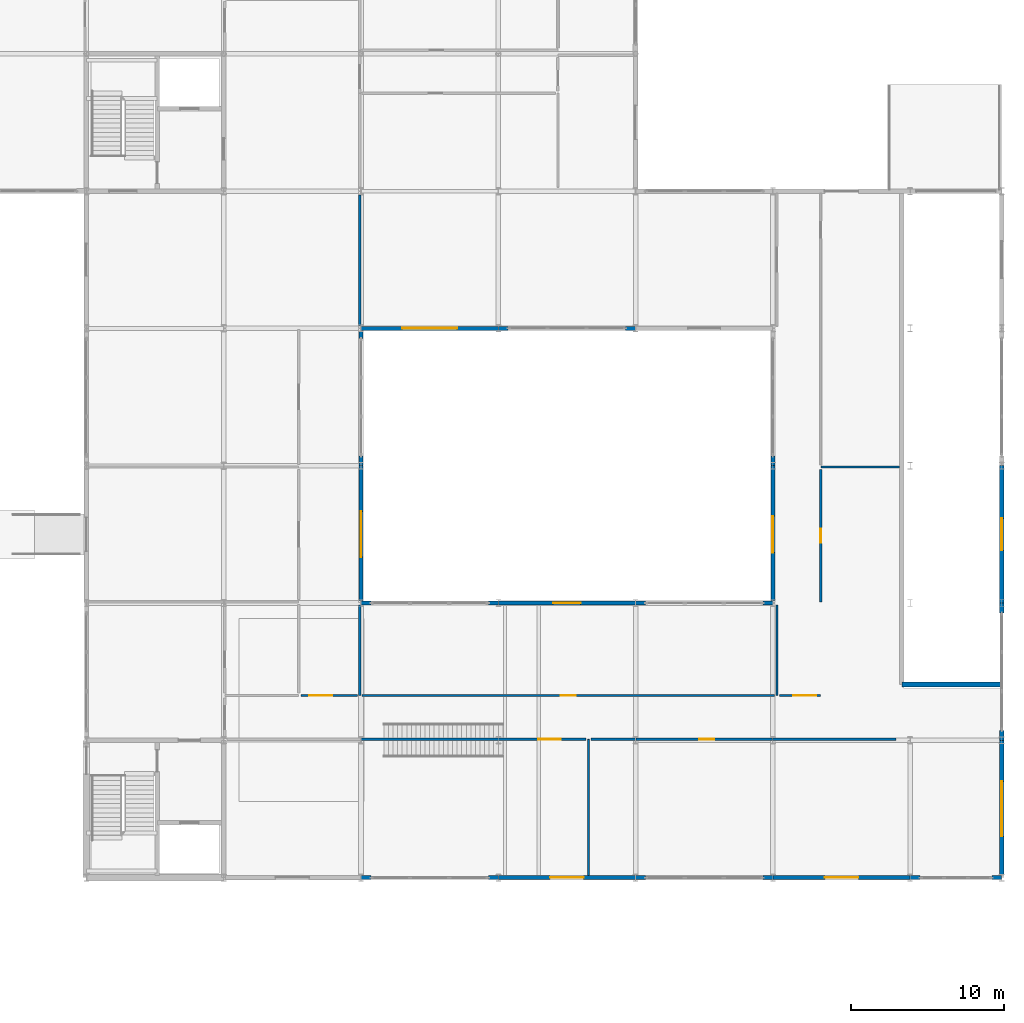
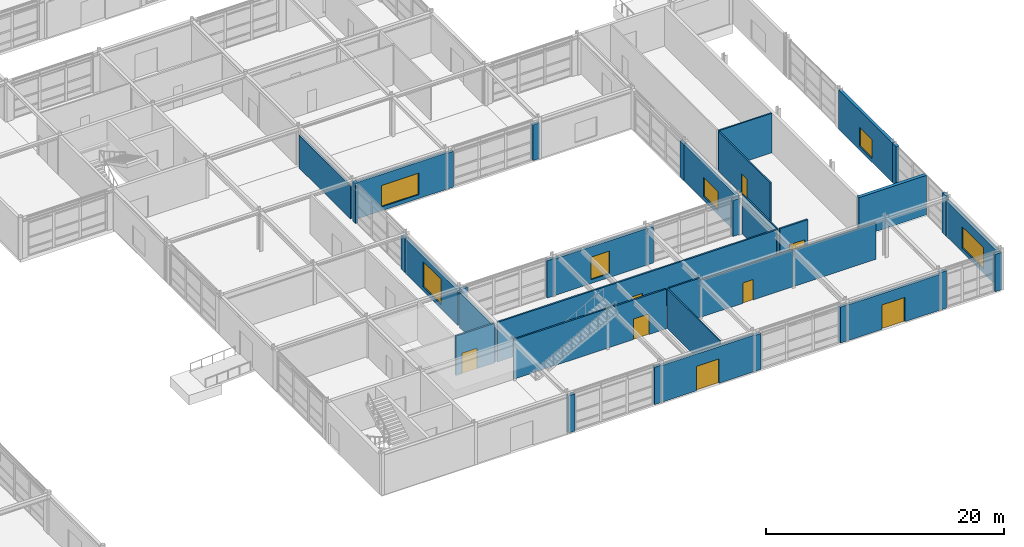
# One storey, part 65 of 72: 39 walls, 8 doors, 6 windows, 14 openings.
"""IFC4 building model written with IfcOpenShell, lengths in metres."""

from ifc_helpers import new_model, si_unit, direction, frame, frame_2d, origin, place, context, subcontext, project, spatial, rectangle, extrude, material, layer, layer_set, type_object, element, fill, save


model = new_model("IFC4")

# Units and contexts
model_context = context("Model", 3, precision=1e-05, world=origin(), true_north=direction((0.0, 1.0)))
body_context = subcontext(model_context, "Body", "Model", "MODEL_VIEW")
ifc_project = project(units=[si_unit("LENGTHUNIT", "METRE"), si_unit("AREAUNIT", "SQUARE_METRE"), si_unit("VOLUMEUNIT", "CUBIC_METRE"), si_unit("PLANEANGLEUNIT", "RADIAN"), si_unit("MASSUNIT", "GRAM", prefix="KILO")], contexts=[model_context])

# Site, building, storey
site_placement = place(None, origin())
site = spatial("IfcSite", under=ifc_project, at=site_placement, CompositionType="ELEMENT")
building_placement = place(site_placement, origin())
building = spatial("IfcBuilding", under=site, at=building_placement, Name="Palais des Congres Ocreval", CompositionType="ELEMENT")
storey_placement = place(building_placement, origin())
storey = spatial("IfcBuildingStorey", under=building, at=storey_placement, Name="L00", CompositionType="ELEMENT", Elevation=0.0)

# Wall
ifc_material_1 = material(Name="Moisture-resistant gypsum board")
ifc_layer_1 = layer(ifc_material_1, 0.139892578125)
ifc_layer_set_1 = layer_set([ifc_layer_1], Name="Bathroom Plumbing Chase Wall 140 Gypsum (Moisture-resistant gypsum board)")
wall_type_1 = type_object("IfcWallType", Name="Bathroom Plumbing Chase Wall 140 Gypsum", PredefinedType="PLUMBINGWALL", material=ifc_layer_set_1)
wall_1_placement = place(storey_placement, frame((156.139892578125, 26.909912109375, 0.0), z_axis=(0.0, 0.0, 1.0), x_axis=(1.0, 0.0, 0.0)))
element("IfcWall", 1, at=wall_1_placement, inside=storey, type_object=wall_type_1, Name="Interior Partition PW03 L00", PredefinedType="PLUMBINGWALL", context=body_context, shape_type="SweptSolid", body=[
    extrude(rectangle(XDim=5.155029296875, YDim=0.139892578125, at=frame_2d((2.57763671875, 0.0))), origin(), (0.0, 0.0, 1.0), 4.054931640625),
])

# Wall, opening, door
wall_2_placement = place(storey_placement, frame((156.135009765625, 18.070068359375, 0.0), z_axis=(0.0, 0.0, 1.0), x_axis=(0.0, 1.0, 0.0)))
wall_2 = element("IfcWall", 2, at=wall_2_placement, inside=storey, type_object=wall_type_1, Name="Interior Partition PW03 L00", PredefinedType="PLUMBINGWALL", context=body_context, shape_type="SweptSolid", body=[
    extrude(rectangle(XDim=8.684814453125, YDim=0.139892578125, at=frame_2d((4.34228515625, 0.0))), origin(), (0.0, 0.0, 1.0), 4.054931640625),
])
opening_1_placement = place(wall_2_placement, frame((3.892578125, 0.0, 0.0)))
opening_1 = element("IfcOpeningElement", 3, at=opening_1_placement, cuts=wall_2, Name="Opening D09", PredefinedType="OPENING", context=body_context, shape_type="SweptSolid", body=[
    extrude(rectangle(XDim=0.89990234375, YDim=2.10009765625, at=frame_2d((0.449951171875, 1.050048828125))), frame((0.0, 0.079833984375, 0.0), z_axis=(0.0, -1.0, 0.0), x_axis=(1.0, 0.0, 0.0)), (0.0, 0.0, 1.0), 0.159912109375),
])
ifc_material_2 = material(Name="Solid French oak", Category="wood")
door_type_1 = type_object("IfcDoorType", Name="Accessible Restroom Door 900x2100", OperationType="NOTDEFINED", PredefinedType="DOOR", material=ifc_material_2)
door_1_placement = place(opening_1_placement, origin())
door_1 = element("IfcDoor", 4, at=door_1_placement, inside=storey, type_object=door_type_1, Name="Interior Door D09 L00", OperationType="SINGLE_SWING_RIGHT", OverallHeight=2.10009765625, OverallWidth=0.89990234375, PredefinedType="DOOR", context=body_context, shape_type="SweptSolid", body=[
    extrude(rectangle(XDim=0.89990234375, YDim=2.10009765625, at=frame_2d((0.449951171875, 1.050048828125))), frame((0.0, 0.02490234375, 0.0), z_axis=(0.0, -1.0, 0.0), x_axis=(1.0, 0.0, 0.0)), (0.0, 0.0, 1.0), 0.050048828125),
])
fill(opening_1, door_1)

# Walls
ifc_material_3 = material(Name="Gypsum acoustic partition")
ifc_layer_2 = layer(ifc_material_3, 0.159912109375)
ifc_layer_set_2 = layer_set([ifc_layer_2], Name="Corridor Fire Partition 160 Gypsum (Gypsum acoustic partition)")
wall_type_2 = type_object("IfcWallType", Name="Corridor Fire Partition 160 Gypsum", PredefinedType="PARTITIONING", material=ifc_layer_set_2)
wall_3_placement = place(storey_placement, frame((125.909912109375, 11.93994140625, 0.0), z_axis=(0.0, 0.0, 1.0), x_axis=(0.0, 1.0, 0.0)))
element("IfcWall", 5, at=wall_3_placement, inside=storey, type_object=wall_type_2, Name="Interior Partition IW03 L00", PredefinedType="PARTITIONING", context=body_context, shape_type="SweptSolid", body=[
    extrude(rectangle(XDim=5.9150390625, YDim=0.159912109375, at=frame_2d((2.95751953125, 0.0))), origin(), (0.0, 0.0, 1.0), 3.614990234375),
])
wall_4_placement = place(storey_placement, frame((125.909912109375, 36.14501953125, 0.0), z_axis=(0.0, 0.0, 1.0), x_axis=(0.0, 1.0, 0.0)))
element("IfcWall", 6, at=wall_4_placement, inside=storey, type_object=wall_type_2, Name="Interior Partition IW03 L00", PredefinedType="PARTITIONING", context=body_context, shape_type="SweptSolid", body=[
    extrude(rectangle(XDim=8.5849609375, YDim=0.159912109375, at=frame_2d((4.29248046875, 0.0))), origin(), (0.0, 0.0, 1.0), 3.364990234375),
])

# Wall, opening, door
wall_5_placement = place(storey_placement, frame((153.419921875, 11.93505859375, 0.0), z_axis=(0.0, 0.0, 1.0), x_axis=(1.0, 0.0, 0.0)))
wall_5 = element("IfcWall", 7, at=wall_5_placement, inside=storey, type_object=wall_type_2, Name="Interior Partition IW03 L00", PredefinedType="PARTITIONING", context=body_context, shape_type="SweptSolid", body=[
    extrude(rectangle(XDim=2.7099609375, YDim=0.159912109375, at=frame_2d((1.35498046875, 0.0))), origin(), (0.0, 0.0, 1.0), 4.054931640625),
])
opening_2_placement = place(wall_5_placement, frame((0.93017578125, 0.0, 0.0)))
opening_2 = element("IfcOpeningElement", 8, at=opening_2_placement, cuts=wall_5, Name="Opening D04", PredefinedType="OPENING", context=body_context, shape_type="SweptSolid", body=[
    extrude(rectangle(XDim=1.5, YDim=2.10009765625, at=frame_2d((0.75, 1.050048828125))), frame((0.0, 0.08984375, 0.0), z_axis=(0.0, -1.0, 0.0), x_axis=(1.0, 0.0, 0.0)), (0.0, 0.0, 1.0), 0.179931640625),
])
ifc_material_4 = material(Name="Solid French oak fire door", Category="wood")
door_type_2 = type_object("IfcDoorType", Name="Corridor Compartment Double Door 1500x2100", OperationType="NOTDEFINED", PredefinedType="DOOR", material=ifc_material_4)
door_2_placement = place(opening_2_placement, origin())
door_2 = element("IfcDoor", 9, at=door_2_placement, inside=storey, type_object=door_type_2, Name="Interior Door D04 L00", OperationType="DOUBLE_DOOR_SINGLE_SWING", OverallHeight=2.10009765625, OverallWidth=1.5, PredefinedType="DOOR", context=body_context, shape_type="SweptSolid", body=[
    extrude(rectangle(XDim=1.5, YDim=2.10009765625, at=frame_2d((0.75, 1.050048828125))), frame((0.0, 0.02490234375, 0.0), z_axis=(0.0, -1.0, 0.0), x_axis=(1.0, 0.0, 0.0)), (0.0, 0.0, 1.0), 0.050048828125),
])
fill(opening_2, door_2)

# Wall
wall_6_placement = place(storey_placement, frame((141.06494140625, 9.06494140625, 0.0), z_axis=(0.0, 0.0, 1.0), x_axis=(1.0, 0.0, 0.0)))
element("IfcWall", 10, at=wall_6_placement, inside=storey, type_object=wall_type_2, Name="Interior Partition IW03 L00", PredefinedType="PARTITIONING", context=body_context, shape_type="SweptSolid", body=[
    extrude(rectangle(XDim=2.955078125, YDim=0.159912109375, at=frame_2d((1.4775390625, 0.0))), origin(), (0.0, 0.0, 1.0), 4.054931640625),
])

# Wall, opening, door
wall_7_placement = place(storey_placement, frame((126.06494140625, 11.93505859375, 0.0), z_axis=(0.0, 0.0, 1.0), x_axis=(1.0, 0.0, 0.0)))
wall_7 = element("IfcWall", 11, at=wall_7_placement, inside=storey, type_object=wall_type_2, Name="Interior Partition IW03 L00", PredefinedType="PARTITIONING", context=body_context, shape_type="SweptSolid", body=[
    extrude(rectangle(XDim=27.045166015625, YDim=0.159912109375, at=frame_2d((13.5224609375, 0.0))), origin(), (0.0, 0.0, 1.0), 4.054931640625),
])
opening_3_placement = place(wall_7_placement, frame((13.0224609375, 0.0, 0.0)))
opening_3 = element("IfcOpeningElement", 12, at=opening_3_placement, cuts=wall_7, Name="Opening D10", PredefinedType="OPENING", context=body_context, shape_type="SweptSolid", body=[
    extrude(rectangle(XDim=1.0, YDim=2.10009765625, at=frame_2d((0.5, 1.050048828125))), frame((0.0, 0.08984375, 0.0), z_axis=(0.0, -1.0, 0.0), x_axis=(1.0, 0.0, 0.0)), (0.0, 0.0, 1.0), 0.179931640625),
])
ifc_material_5 = material(Name="Painted steel", Category="steel")
door_type_3 = type_object("IfcDoorType", Name="Service and Pantry Door 1000x2100", OperationType="NOTDEFINED", PredefinedType="DOOR", material=ifc_material_5)
door_3_placement = place(opening_3_placement, origin())
door_3 = element("IfcDoor", 13, at=door_3_placement, inside=storey, type_object=door_type_3, Name="Interior Door D10 L00", OperationType="SINGLE_SWING_LEFT", OverallHeight=2.10009765625, OverallWidth=1.0, PredefinedType="DOOR", context=body_context, shape_type="SweptSolid", body=[
    extrude(rectangle(XDim=1.0, YDim=2.10009765625, at=frame_2d((0.5, 1.050048828125))), frame((0.0, 0.02490234375, 0.0), z_axis=(0.0, -1.0, 0.0), x_axis=(1.0, 0.0, 0.0)), (0.0, 0.0, 1.0), 0.050048828125),
])
fill(opening_3, door_3)

wall_8_placement = place(storey_placement, frame((122.06494140625, 11.93505859375, 0.0), z_axis=(0.0, 0.0, 1.0), x_axis=(1.0, 0.0, 0.0)))
wall_8 = element("IfcWall", 14, at=wall_8_placement, inside=storey, type_object=wall_type_2, Name="Interior Partition IW03 L00", PredefinedType="PARTITIONING", context=body_context, shape_type="SweptSolid", body=[
    extrude(rectangle(XDim=3.68994140625, YDim=0.159912109375, at=frame_2d((1.844970703125, 0.0))), origin(), (0.0, 0.0, 1.0), 4.054931640625),
])
opening_4_placement = place(wall_8_placement, frame((0.5400390625, 0.0, 0.0)))
opening_4 = element("IfcOpeningElement", 15, at=opening_4_placement, cuts=wall_8, Name="Opening D04", PredefinedType="OPENING", context=body_context, shape_type="SweptSolid", body=[
    extrude(rectangle(XDim=1.5, YDim=2.10009765625, at=frame_2d((0.75, 1.050048828125))), frame((0.0, 0.08984375, 0.0), z_axis=(0.0, -1.0, 0.0), x_axis=(1.0, 0.0, 0.0)), (0.0, 0.0, 1.0), 0.179931640625),
])
door_4_placement = place(opening_4_placement, origin())
door_4 = element("IfcDoor", 16, at=door_4_placement, inside=storey, type_object=door_type_2, Name="Interior Door D04 L00", OperationType="DOUBLE_DOOR_SINGLE_SWING", OverallHeight=2.10009765625, OverallWidth=1.5, PredefinedType="DOOR", context=body_context, shape_type="SweptSolid", body=[
    extrude(rectangle(XDim=1.5, YDim=2.10009765625, at=frame_2d((0.75, 1.050048828125))), frame((0.0, 0.02490234375, 0.0), z_axis=(0.0, -1.0, 0.0), x_axis=(1.0, 0.0, 0.0)), (0.0, 0.0, 1.0), 0.050048828125),
])
fill(opening_4, door_4)

wall_9_placement = place(storey_placement, frame((125.97998046875, 9.06494140625, 0.0), z_axis=(0.0, 0.0, 1.0), x_axis=(1.0, 0.0, 0.0)))
wall_9 = element("IfcWall", 17, at=wall_9_placement, inside=storey, type_object=wall_type_2, Name="Interior Partition IW03 L00", PredefinedType="PARTITIONING", context=body_context, shape_type="SweptSolid", body=[
    extrude(rectangle(XDim=14.77490234375, YDim=0.159912109375, at=frame_2d((7.387451171875, 0.0))), origin(), (0.0, 0.0, 1.0), 4.054931640625),
])
opening_5_placement = place(wall_9_placement, frame((11.625, 0.0, 0.0)))
opening_5 = element("IfcOpeningElement", 18, at=opening_5_placement, cuts=wall_9, Name="Opening D04", PredefinedType="OPENING", context=body_context, shape_type="SweptSolid", body=[
    extrude(rectangle(XDim=1.5, YDim=2.10009765625, at=frame_2d((0.75, 1.050048828125))), frame((0.0, 0.08984375, 0.0), z_axis=(0.0, -1.0, 0.0), x_axis=(1.0, 0.0, 0.0)), (0.0, 0.0, 1.0), 0.179931640625),
])
door_5_placement = place(opening_5_placement, origin())
door_5 = element("IfcDoor", 19, at=door_5_placement, inside=storey, type_object=door_type_2, Name="Interior Door D04 L00", OperationType="DOUBLE_DOOR_SINGLE_SWING", OverallHeight=2.10009765625, OverallWidth=1.5, PredefinedType="DOOR", context=body_context, shape_type="SweptSolid", body=[
    extrude(rectangle(XDim=1.5, YDim=2.10009765625, at=frame_2d((0.75, 1.050048828125))), frame((0.0, 0.02490234375, 0.0), z_axis=(0.0, -1.0, 0.0), x_axis=(1.0, 0.0, 0.0)), (0.0, 0.0, 1.0), 0.050048828125),
])
fill(opening_5, door_5)

wall_10_placement = place(storey_placement, frame((144.02001953125, 9.06494140625, 0.0), z_axis=(0.0, 0.0, 1.0), x_axis=(1.0, 0.0, 0.0)))
wall_10 = element("IfcWall", 20, at=wall_10_placement, inside=storey, type_object=wall_type_2, Name="Interior Partition IW03 L00", PredefinedType="PARTITIONING", context=body_context, shape_type="SweptSolid", body=[
    extrude(rectangle(XDim=8.9599609375, YDim=0.159912109375, at=frame_2d((4.47998046875, 0.0))), origin(), (0.0, 0.0, 1.0), 3.764892578125),
])
opening_6_placement = place(wall_10_placement, frame((4.150634765625, 0.0, 0.0)))
opening_6 = element("IfcOpeningElement", 21, at=opening_6_placement, cuts=wall_10, Name="Opening D10", PredefinedType="OPENING", context=body_context, shape_type="SweptSolid", body=[
    extrude(rectangle(XDim=1.0, YDim=2.10009765625, at=frame_2d((0.5, 1.050048828125))), frame((0.0, 0.08984375, 0.0), z_axis=(0.0, -1.0, 0.0), x_axis=(1.0, 0.0, 0.0)), (0.0, 0.0, 1.0), 0.179931640625),
])
door_6_placement = place(opening_6_placement, origin())
door_6 = element("IfcDoor", 22, at=door_6_placement, inside=storey, type_object=door_type_3, Name="Interior Door D10 L00", OperationType="SINGLE_SWING_RIGHT", OverallHeight=2.10009765625, OverallWidth=1.0, PredefinedType="DOOR", context=body_context, shape_type="SweptSolid", body=[
    extrude(rectangle(XDim=1.0, YDim=2.10009765625, at=frame_2d((0.5, 1.050048828125))), frame((0.0, 0.02490234375, 0.0), z_axis=(0.0, -1.0, 0.0), x_axis=(1.0, 0.0, 0.0)), (0.0, 0.0, 1.0), 0.050048828125),
])
fill(opening_6, door_6)

# Walls
wall_11_placement = place(storey_placement, frame((152.97998046875, 9.06494140625, 0.0), z_axis=(0.0, 0.0, 1.0), x_axis=(1.0, 0.0, 0.0)))
element("IfcWall", 23, at=wall_11_placement, inside=storey, type_object=wall_type_2, Name="Interior Partition IW03 L00", PredefinedType="PARTITIONING", context=body_context, shape_type="SweptSolid", body=[
    extrude(rectangle(XDim=8.10009765625, YDim=0.159912109375, at=frame_2d((4.050048828125, 0.0))), origin(), (0.0, 0.0, 1.0), 3.72509765625),
])
ifc_material_6 = material(Name="Concrete C40/50", Category="concrete")
ifc_layer_3 = layer(ifc_material_6, 0.320068359375)
ifc_layer_set_3 = layer_set([ifc_layer_3], Name="Ramp and Hoistway Shear Wall 320 Concrete C40/50")
wall_type_3 = type_object("IfcWallType", Name="Ramp and Hoistway Shear Wall 320 Concrete C40/50", PredefinedType="SHEAR", material=ifc_layer_set_3)
wall_12_placement = place(storey_placement, frame((161.449951171875, 12.64990234375, 0.0), z_axis=(0.0, 0.0, 1.0), x_axis=(1.0, 0.0, 0.0)))
element("IfcWall", 24, at=wall_12_placement, inside=storey, type_object=wall_type_3, Name="Vehicle Ramp South Closure Wall L00", PredefinedType="SHEAR", context=body_context, shape_type="SweptSolid", body=[
    extrude(rectangle(XDim=6.550048828125, YDim=0.320068359375, at=frame_2d((3.27490234375, 0.0))), origin(), (0.0, 0.0, 1.0), 4.054931640625),
])
ifc_material_7 = material(Name="Gypsum board partition")
ifc_layer_4 = layer(ifc_material_7, 0.1201171875)
ifc_layer_set_4 = layer_set([ifc_layer_4], Name="Suite Subdivision Partition 120 Gypsum (Gypsum board partition)")
wall_type_4 = type_object("IfcWallType", Name="Suite Subdivision Partition 120 Gypsum", PredefinedType="PARTITIONING", material=ifc_layer_set_4)
wall_13_placement = place(storey_placement, frame((153.264892578125, 11.93994140625, 0.0), z_axis=(0.0, 0.0, 1.0), x_axis=(0.0, 1.0, 0.0)))
element("IfcWall", 25, at=wall_13_placement, inside=storey, type_object=wall_type_4, Name="Interior Partition IW04 L00", PredefinedType="PARTITIONING", context=body_context, shape_type="SweptSolid", body=[
    extrude(rectangle(XDim=5.9150390625, YDim=0.1201171875, at=frame_2d((2.95751953125, 0.0))), origin(), (0.0, 0.0, 1.0), 4.054931640625),
])
wall_14_placement = place(storey_placement, frame((140.909912109375, 0.14501953125, 0.0), z_axis=(0.0, 0.0, 1.0), x_axis=(0.0, 1.0, 0.0)))
element("IfcWall", 26, at=wall_14_placement, inside=storey, type_object=wall_type_4, Name="Interior Partition IW04 L00", PredefinedType="PARTITIONING", context=body_context, shape_type="SweptSolid", body=[
    extrude(rectangle(XDim=8.9150390625, YDim=0.1201171875, at=frame_2d((4.45751953125, 0.0))), origin(), (0.0, 0.0, 1.0), 4.054931640625),
])

# Wall, opening, window
ifc_layer_5 = layer(ifc_material_6, 0.280029296875)
ifc_layer_set_5 = layer_set([ifc_layer_5], Name="Terracotta Mineral-Lime Facade Wall 280 Concrete C40/50")
wall_type_5 = type_object("IfcWallType", Name="Terracotta Mineral-Lime Facade Wall 280 Concrete C40/50", PredefinedType="SOLIDWALL", material=ifc_layer_set_5)
wall_15_placement = place(storey_placement, frame((168.0, 27.0, 0.0), z_axis=(0.0, 0.0, 1.0), x_axis=(0.0, -1.0, 0.0)))
wall_15 = element("IfcWall", 27, at=wall_15_placement, inside=storey, type_object=wall_type_5, Name="Exterior Wall EW05 L00", PredefinedType="SOLIDWALL", context=body_context, shape_type="SweptSolid", body=[
    extrude(rectangle(XDim=9.0, YDim=0.280029296875, at=frame_2d((4.5, 0.0))), origin(), (0.0, 0.0, 1.0), 4.054931640625),
])
opening_7_placement = place(wall_15_placement, frame((3.449951171875, 0.0, 0.39990234375)))
opening_7 = element("IfcOpeningElement", 28, at=opening_7_placement, cuts=wall_15, Name="Opening WN05", PredefinedType="OPENING", context=body_context, shape_type="SweptSolid", body=[
    extrude(rectangle(XDim=2.10009765625, YDim=1.949951171875, at=frame_2d((1.050048828125, 0.97509765625))), frame((0.0, 0.14990234375, 0.0), z_axis=(0.0, -1.0, 0.0), x_axis=(1.0, 0.0, 0.0)), (0.0, 0.0, 1.0), 0.300048828125),
])
ifc_material_8 = material(Name="Anodized bronze aluminium and low-E glass", Category="glass")
window_type_1 = type_object("IfcWindowType", Name="Junior Suite Window 2100x1950", PartitioningType="SINGLE_PANEL", PredefinedType="WINDOW", material=ifc_material_8)
window_1_placement = place(opening_7_placement, origin())
window_1 = element("IfcWindow", 29, at=window_1_placement, inside=storey, type_object=window_type_1, Name="Facade Window WN05", OverallHeight=1.949951171875, OverallWidth=2.10009765625, PartitioningType="SINGLE_PANEL", PredefinedType="WINDOW", context=body_context, shape_type="SweptSolid", body=[
    extrude(rectangle(XDim=2.10009765625, YDim=1.949951171875, at=frame_2d((1.050048828125, 0.97509765625))), frame((0.0, 0.030029296875, 0.0), z_axis=(0.0, -1.0, 0.0), x_axis=(1.0, 0.0, 0.0)), (0.0, 0.0, 1.0), 0.06005859375),
])
fill(opening_7, window_1)

# Walls
for number, where, z_axis, x_axis, name in (
    (30, (168.0, 18.0, 0.0), (0.0, 0.0, 1.0), (0.0, -1.0, 0.0), "Facade Pier EW05 L00"),
    (31, (168.0, 9.64990234375, 0.0), (0.0, 0.0, 1.0), (0.0, -1.0, 0.0), "Facade Pier EW05 L00"),
):
    element("IfcWall", number, at=place(storey_placement, frame(where, z_axis=z_axis, x_axis=x_axis)), inside=storey, type_object=wall_type_5, Name=name, PredefinedType="SOLIDWALL", context=body_context, shape_type="SweptSolid", body=[
        extrude(rectangle(XDim=0.64990234375, YDim=0.280029296875, at=frame_2d((0.324951171875, 0.0))), origin(), (0.0, 0.0, 1.0), 4.054931640625),
    ])

# Wall, opening, window
wall_16_placement = place(storey_placement, frame((168.0, 9.0, 0.0), z_axis=(0.0, 0.0, 1.0), x_axis=(0.0, -1.0, 0.0)))
wall_16 = element("IfcWall", 32, at=wall_16_placement, inside=storey, type_object=wall_type_5, Name="Exterior Wall EW05 L00", PredefinedType="SOLIDWALL", context=body_context, shape_type="SweptSolid", body=[
    extrude(rectangle(XDim=8.844970703125, YDim=0.280029296875, at=frame_2d((4.42236328125, 0.0))), origin(), (0.0, 0.0, 1.0), 3.655029296875),
])
opening_8_placement = place(wall_16_placement, frame((2.699951171875, 0.0, 0.39990234375)))
opening_8 = element("IfcOpeningElement", 33, at=opening_8_placement, cuts=wall_16, Name="Opening WN08", PredefinedType="OPENING", context=body_context, shape_type="SweptSolid", body=[
    extrude(rectangle(XDim=3.60009765625, YDim=2.199951171875, at=frame_2d((1.800048828125, 1.10009765625))), frame((0.0, 0.14990234375, 0.0), z_axis=(0.0, -1.0, 0.0), x_axis=(1.0, 0.0, 0.0)), (0.0, 0.0, 1.0), 0.300048828125),
])
window_type_2 = type_object("IfcWindowType", Name="Crown Salon Window 3600x2200", PartitioningType="SINGLE_PANEL", PredefinedType="WINDOW", material=ifc_material_8)
window_2_placement = place(opening_8_placement, origin())
window_2 = element("IfcWindow", 34, at=window_2_placement, inside=storey, type_object=window_type_2, Name="Facade Window WN08", OverallHeight=2.199951171875, OverallWidth=3.60009765625, PartitioningType="SINGLE_PANEL", PredefinedType="WINDOW", context=body_context, shape_type="SweptSolid", body=[
    extrude(rectangle(XDim=3.60009765625, YDim=2.199951171875, at=frame_2d((1.800048828125, 1.10009765625))), frame((0.0, 0.030029296875, 0.0), z_axis=(0.0, -1.0, 0.0), x_axis=(1.0, 0.0, 0.0)), (0.0, 0.0, 1.0), 0.06005859375),
])
fill(opening_8, window_2)

# Walls
for number, where, z_axis, x_axis, name in (
    (35, (168.0, 0.0, 0.0), (0.0, 0.0, 1.0), (-1.0, 0.0, 0.0), "Facade Pier EW05 L00"),
    (36, (162.64990234375, 0.0, 0.0), (0.0, 0.0, 1.0), (-1.0, 0.0, 0.0), "Facade Pier EW05 L00"),
):
    element("IfcWall", number, at=place(storey_placement, frame(where, z_axis=z_axis, x_axis=x_axis)), inside=storey, type_object=wall_type_5, Name=name, PredefinedType="SOLIDWALL", context=body_context, shape_type="SweptSolid", body=[
        extrude(rectangle(XDim=0.64990234375, YDim=0.280029296875, at=frame_2d((0.324951171875, 0.0))), origin(), (0.0, 0.0, 1.0), 3.824951171875),
    ])

# Wall, opening, door
wall_17_placement = place(storey_placement, frame((162.0, 0.0, 0.0), z_axis=(0.0, 0.0, 1.0), x_axis=(-1.0, 0.0, 0.0)))
wall_17 = element("IfcWall", 37, at=wall_17_placement, inside=storey, type_object=wall_type_5, Name="Exterior Wall EW05 L00", PredefinedType="SOLIDWALL", context=body_context, shape_type="SweptSolid", body=[
    extrude(rectangle(XDim=9.0, YDim=0.280029296875, at=frame_2d((4.5, 0.0))), origin(), (0.0, 0.0, 1.0), 3.655029296875),
])
opening_9_placement = place(wall_17_placement, frame((3.39990234375, 0.0, 0.0)))
opening_9 = element("IfcOpeningElement", 38, at=opening_9_placement, cuts=wall_17, Name="Opening ED02", PredefinedType="OPENING", context=body_context, shape_type="SweptSolid", body=[
    extrude(rectangle(XDim=2.199951171875, YDim=2.5, at=frame_2d((1.10009765625, 1.25))), frame((0.0, 0.14990234375, 0.0), z_axis=(0.0, -1.0, 0.0), x_axis=(1.0, 0.0, 0.0)), (0.0, 0.0, 1.0), 0.300048828125),
])
ifc_material_9 = material(Name="Anodized bronze aluminium and safety glass", Category="aluminium")
door_type_4 = type_object("IfcDoorType", Name="Congress Grand Final Exit Door 2200x2500", OperationType="NOTDEFINED", PredefinedType="DOOR", material=ifc_material_9)
door_7_placement = place(opening_9_placement, origin())
door_7 = element("IfcDoor", 39, at=door_7_placement, inside=storey, type_object=door_type_4, Name="Pedestrian Final Exit Door E30", OperationType="DOUBLE_DOOR_SINGLE_SWING", OverallHeight=2.5, OverallWidth=2.199951171875, PredefinedType="DOOR", context=body_context, shape_type="SweptSolid", body=[
    extrude(rectangle(XDim=2.199951171875, YDim=2.5, at=frame_2d((1.10009765625, 1.25))), frame((0.0, 0.02490234375, 0.0), z_axis=(0.0, -1.0, 0.0), x_axis=(1.0, 0.0, 0.0)), (0.0, 0.0, 1.0), 0.050048828125),
])
fill(opening_9, door_7)

# Walls
for number, where, z_axis, x_axis, name in (
    (40, (153.0, 0.0, 0.0), (0.0, 0.0, 1.0), (-1.0, 0.0, 0.0), "Facade Pier EW05 L00"),
    (41, (144.64990234375, 0.0, 0.0), (0.0, 0.0, 1.0), (-1.0, 0.0, 0.0), "Facade Pier EW05 L00"),
):
    element("IfcWall", number, at=place(storey_placement, frame(where, z_axis=z_axis, x_axis=x_axis)), inside=storey, type_object=wall_type_5, Name=name, PredefinedType="SOLIDWALL", context=body_context, shape_type="SweptSolid", body=[
        extrude(rectangle(XDim=0.64990234375, YDim=0.280029296875, at=frame_2d((0.324951171875, 0.0))), origin(), (0.0, 0.0, 1.0), 3.695068359375),
    ])

# Wall, opening, door
wall_18_placement = place(storey_placement, frame((144.0, 0.0, 0.0), z_axis=(0.0, 0.0, 1.0), x_axis=(-1.0, 0.0, 0.0)))
wall_18 = element("IfcWall", 42, at=wall_18_placement, inside=storey, type_object=wall_type_5, Name="Exterior Wall EW05 L00", PredefinedType="SOLIDWALL", context=body_context, shape_type="SweptSolid", body=[
    extrude(rectangle(XDim=9.0, YDim=0.280029296875, at=frame_2d((4.5, 0.0))), origin(), (0.0, 0.0, 1.0), 3.7548828125),
])
opening_10_placement = place(wall_18_placement, frame((3.39990234375, 0.0, 0.0)))
opening_10 = element("IfcOpeningElement", 43, at=opening_10_placement, cuts=wall_18, Name="Opening ED02", PredefinedType="OPENING", context=body_context, shape_type="SweptSolid", body=[
    extrude(rectangle(XDim=2.199951171875, YDim=2.5, at=frame_2d((1.10009765625, 1.25))), frame((0.0, 0.14990234375, 0.0), z_axis=(0.0, -1.0, 0.0), x_axis=(1.0, 0.0, 0.0)), (0.0, 0.0, 1.0), 0.300048828125),
])
door_8_placement = place(opening_10_placement, origin())
door_8 = element("IfcDoor", 44, at=door_8_placement, inside=storey, type_object=door_type_4, Name="Pedestrian Final Exit Door E31", OperationType="DOUBLE_DOOR_SINGLE_SWING", OverallHeight=2.5, OverallWidth=2.199951171875, PredefinedType="DOOR", context=body_context, shape_type="SweptSolid", body=[
    extrude(rectangle(XDim=2.199951171875, YDim=2.5, at=frame_2d((1.10009765625, 1.25))), frame((0.0, 0.02490234375, 0.0), z_axis=(0.0, -1.0, 0.0), x_axis=(1.0, 0.0, 0.0)), (0.0, 0.0, 1.0), 0.050048828125),
])
fill(opening_10, door_8)

# Walls
for number, where, z_axis, x_axis, name in (
    (45, (135.0, 0.0, 0.0), (0.0, 0.0, 1.0), (-1.0, 0.0, 0.0), "Facade Pier EW05 L00"),
    (46, (126.64990234375, 0.0, 0.0), (0.0, 0.0, 1.0), (-1.0, 0.0, 0.0), "Facade Pier EW05 L00"),
):
    element("IfcWall", number, at=place(storey_placement, frame(where, z_axis=z_axis, x_axis=x_axis)), inside=storey, type_object=wall_type_5, Name=name, PredefinedType="SOLIDWALL", context=body_context, shape_type="SweptSolid", body=[
        extrude(rectangle(XDim=0.64990234375, YDim=0.280029296875, at=frame_2d((0.324951171875, 0.0))), origin(), (0.0, 0.0, 1.0), 3.824951171875),
    ])

# Wall, opening, window
wall_19_placement = place(storey_placement, frame((153.0, 18.155029296875, 0.0), z_axis=(0.0, 0.0, 1.0), x_axis=(0.0, 1.0, 0.0)))
wall_19 = element("IfcWall", 47, at=wall_19_placement, inside=storey, type_object=wall_type_5, Name="Exterior Wall EW05 L00", PredefinedType="SOLIDWALL", context=body_context, shape_type="SweptSolid", body=[
    extrude(rectangle(XDim=8.844970703125, YDim=0.280029296875, at=frame_2d((4.42236328125, 0.0))), origin(), (0.0, 0.0, 1.0), 3.764892578125),
])
opening_11_placement = place(wall_19_placement, frame((3.14501953125, 0.0, 0.39990234375)))
opening_11 = element("IfcOpeningElement", 48, at=opening_11_placement, cuts=wall_19, Name="Opening WN03", PredefinedType="OPENING", context=body_context, shape_type="SweptSolid", body=[
    extrude(rectangle(XDim=2.39990234375, YDim=1.949951171875, at=frame_2d((1.199951171875, 0.97509765625))), frame((0.0, 0.14990234375, 0.0), z_axis=(0.0, -1.0, 0.0), x_axis=(1.0, 0.0, 0.0)), (0.0, 0.0, 1.0), 0.300048828125),
])
window_type_3 = type_object("IfcWindowType", Name="Suite Panoramic Window 2400x1950", PartitioningType="SINGLE_PANEL", PredefinedType="WINDOW", material=ifc_material_8)
window_3_placement = place(opening_11_placement, origin())
window_3 = element("IfcWindow", 49, at=window_3_placement, inside=storey, type_object=window_type_3, Name="Facade Window WN03", OverallHeight=1.949951171875, OverallWidth=2.39990234375, PartitioningType="SINGLE_PANEL", PredefinedType="WINDOW", context=body_context, shape_type="SweptSolid", body=[
    extrude(rectangle(XDim=2.39990234375, YDim=1.949951171875, at=frame_2d((1.199951171875, 0.97509765625))), frame((0.0, 0.030029296875, 0.0), z_axis=(0.0, -1.0, 0.0), x_axis=(1.0, 0.0, 0.0)), (0.0, 0.0, 1.0), 0.06005859375),
])
fill(opening_11, window_3)

# Walls
wall_20_placement = place(storey_placement, frame((153.0, 27.0, 0.0), z_axis=(0.0, 0.0, 1.0), x_axis=(0.0, 1.0, 0.0)))
element("IfcWall", 50, at=wall_20_placement, inside=storey, type_object=wall_type_5, Name="Facade Pier EW05 L00", PredefinedType="SOLIDWALL", context=body_context, shape_type="SweptSolid", body=[
    extrude(rectangle(XDim=0.64990234375, YDim=0.280029296875, at=frame_2d((0.324951171875, 0.0))), origin(), (0.0, 0.0, 1.0), 3.72509765625),
])
for number, where, z_axis, x_axis, name in (
    (51, (144.0, 36.0, 0.0), (0.0, 0.0, 1.0), (-1.0, 0.0, 0.0), "Facade Pier EW05 L00"),
    (52, (135.64990234375, 36.0, 0.0), (0.0, 0.0, 1.0), (-1.0, 0.0, 0.0), "Facade Pier EW05 L00"),
):
    element("IfcWall", number, at=place(storey_placement, frame(where, z_axis=z_axis, x_axis=x_axis)), inside=storey, type_object=wall_type_5, Name=name, PredefinedType="SOLIDWALL", context=body_context, shape_type="SweptSolid", body=[
        extrude(rectangle(XDim=0.64990234375, YDim=0.280029296875, at=frame_2d((0.324951171875, 0.0))), origin(), (0.0, 0.0, 1.0), 3.6650390625),
    ])

# Wall, opening, window
wall_21_placement = place(storey_placement, frame((135.0, 36.0, 0.0), z_axis=(0.0, 0.0, 1.0), x_axis=(-1.0, 0.0, 0.0)))
wall_21 = element("IfcWall", 53, at=wall_21_placement, inside=storey, type_object=wall_type_5, Name="Exterior Wall EW05 L00", PredefinedType="SOLIDWALL", context=body_context, shape_type="SweptSolid", body=[
    extrude(rectangle(XDim=9.0, YDim=0.280029296875, at=frame_2d((4.5, 0.0))), origin(), (0.0, 0.0, 1.0), 3.72509765625),
])
opening_12_placement = place(wall_21_placement, frame((2.699951171875, 0.0, 0.39990234375)))
opening_12 = element("IfcOpeningElement", 54, at=opening_12_placement, cuts=wall_21, Name="Opening WN08", PredefinedType="OPENING", context=body_context, shape_type="SweptSolid", body=[
    extrude(rectangle(XDim=3.60009765625, YDim=2.199951171875, at=frame_2d((1.800048828125, 1.10009765625))), frame((0.0, 0.14990234375, 0.0), z_axis=(0.0, -1.0, 0.0), x_axis=(1.0, 0.0, 0.0)), (0.0, 0.0, 1.0), 0.300048828125),
])
window_4_placement = place(opening_12_placement, origin())
window_4 = element("IfcWindow", 55, at=window_4_placement, inside=storey, type_object=window_type_2, Name="Facade Window WN08", OverallHeight=2.199951171875, OverallWidth=3.60009765625, PartitioningType="SINGLE_PANEL", PredefinedType="WINDOW", context=body_context, shape_type="SweptSolid", body=[
    extrude(rectangle(XDim=3.60009765625, YDim=2.199951171875, at=frame_2d((1.800048828125, 1.10009765625))), frame((0.0, 0.030029296875, 0.0), z_axis=(0.0, -1.0, 0.0), x_axis=(1.0, 0.0, 0.0)), (0.0, 0.0, 1.0), 0.06005859375),
])
fill(opening_12, window_4)

# Walls
wall_22_placement = place(storey_placement, frame((126.0, 35.844970703125, 0.0), z_axis=(0.0, 0.0, 1.0), x_axis=(0.0, -1.0, 0.0)))
element("IfcWall", 56, at=wall_22_placement, inside=storey, type_object=wall_type_5, Name="Facade Pier EW05 L00", PredefinedType="SOLIDWALL", context=body_context, shape_type="SweptSolid", body=[
    extrude(rectangle(XDim=0.494873046875, YDim=0.280029296875, at=frame_2d((0.24755859375, 0.0))), origin(), (0.0, 0.0, 1.0), 4.054931640625),
])
wall_23_placement = place(storey_placement, frame((126.0, 27.64990234375, 0.0), z_axis=(0.0, 0.0, 1.0), x_axis=(0.0, -1.0, 0.0)))
element("IfcWall", 57, at=wall_23_placement, inside=storey, type_object=wall_type_5, Name="Facade Pier EW05 L00", PredefinedType="SOLIDWALL", context=body_context, shape_type="SweptSolid", body=[
    extrude(rectangle(XDim=0.64990234375, YDim=0.280029296875, at=frame_2d((0.324951171875, 0.0))), origin(), (0.0, 0.0, 1.0), 3.465087890625),
])

# Wall, opening, window
wall_24_placement = place(storey_placement, frame((126.0, 27.0, 0.0), z_axis=(0.0, 0.0, 1.0), x_axis=(0.0, -1.0, 0.0)))
wall_24 = element("IfcWall", 58, at=wall_24_placement, inside=storey, type_object=wall_type_5, Name="Exterior Wall EW05 L00", PredefinedType="SOLIDWALL", context=body_context, shape_type="SweptSolid", body=[
    extrude(rectangle(XDim=8.844970703125, YDim=0.280029296875, at=frame_2d((4.42236328125, 0.0))), origin(), (0.0, 0.0, 1.0), 3.56494140625),
])
opening_13_placement = place(wall_24_placement, frame((3.0, 0.0, 0.39990234375)))
opening_13 = element("IfcOpeningElement", 59, at=opening_13_placement, cuts=wall_24, Name="Opening WN10", PredefinedType="OPENING", context=body_context, shape_type="SweptSolid", body=[
    extrude(rectangle(XDim=3.0, YDim=2.60009765625, at=frame_2d((1.5, 1.300048828125))), frame((0.0, 0.14990234375, 0.0), z_axis=(0.0, -1.0, 0.0), x_axis=(1.0, 0.0, 0.0)), (0.0, 0.0, 1.0), 0.300048828125),
])
window_type_4 = type_object("IfcWindowType", Name="Lobby Arcade Window 3000x2600", PartitioningType="SINGLE_PANEL", PredefinedType="WINDOW", material=ifc_material_8)
window_5_placement = place(opening_13_placement, origin())
window_5 = element("IfcWindow", 60, at=window_5_placement, inside=storey, type_object=window_type_4, Name="Facade Window WN10", OverallHeight=2.60009765625, OverallWidth=3.0, PartitioningType="SINGLE_PANEL", PredefinedType="WINDOW", context=body_context, shape_type="SweptSolid", body=[
    extrude(rectangle(XDim=3.0, YDim=2.60009765625, at=frame_2d((1.5, 1.300048828125))), frame((0.0, 0.030029296875, 0.0), z_axis=(0.0, -1.0, 0.0), x_axis=(1.0, 0.0, 0.0)), (0.0, 0.0, 1.0), 0.06005859375),
])
fill(opening_13, window_5)

# Walls
for number, where, z_axis, x_axis, name in (
    (61, (126.0, 18.0, 0.0), (0.0, 0.0, 1.0), (1.0, 0.0, 0.0), "Facade Pier EW05 L00"),
    (62, (134.35009765625, 18.0, 0.0), (0.0, 0.0, 1.0), (1.0, 0.0, 0.0), "Facade Pier EW05 L00"),
):
    element("IfcWall", number, at=place(storey_placement, frame(where, z_axis=z_axis, x_axis=x_axis)), inside=storey, type_object=wall_type_5, Name=name, PredefinedType="SOLIDWALL", context=body_context, shape_type="SweptSolid", body=[
        extrude(rectangle(XDim=0.64990234375, YDim=0.280029296875, at=frame_2d((0.324951171875, 0.0))), origin(), (0.0, 0.0, 1.0), 3.824951171875),
    ])

# Wall, opening, window
wall_25_placement = place(storey_placement, frame((135.0, 18.0, 0.0), z_axis=(0.0, 0.0, 1.0), x_axis=(1.0, 0.0, 0.0)))
wall_25 = element("IfcWall", 63, at=wall_25_placement, inside=storey, type_object=wall_type_5, Name="Exterior Wall EW05 L00", PredefinedType="SOLIDWALL", context=body_context, shape_type="SweptSolid", body=[
    extrude(rectangle(XDim=9.0, YDim=0.280029296875, at=frame_2d((4.5, 0.0))), origin(), (0.0, 0.0, 1.0), 3.7548828125),
])
opening_14_placement = place(wall_25_placement, frame((3.60009765625, 0.0, 0.39990234375)))
opening_14 = element("IfcOpeningElement", 64, at=opening_14_placement, cuts=wall_25, Name="Opening WN12", PredefinedType="OPENING", context=body_context, shape_type="SweptSolid", body=[
    extrude(rectangle(XDim=1.800048828125, YDim=2.300048828125, at=frame_2d((0.89990234375, 1.14990234375))), frame((0.0, 0.14990234375, 0.0), z_axis=(0.0, -1.0, 0.0), x_axis=(1.0, 0.0, 0.0)), (0.0, 0.0, 1.0), 0.300048828125),
])
window_type_5 = type_object("IfcWindowType", Name="Gastronomy Mezzanine Window 1800x2300", PartitioningType="SINGLE_PANEL", PredefinedType="WINDOW", material=ifc_material_8)
window_6_placement = place(opening_14_placement, origin())
window_6 = element("IfcWindow", 65, at=window_6_placement, inside=storey, type_object=window_type_5, Name="Facade Window WN12", OverallHeight=2.300048828125, OverallWidth=1.800048828125, PartitioningType="SINGLE_PANEL", PredefinedType="WINDOW", context=body_context, shape_type="SweptSolid", body=[
    extrude(rectangle(XDim=1.800048828125, YDim=2.300048828125, at=frame_2d((0.89990234375, 1.14990234375))), frame((0.0, 0.030029296875, 0.0), z_axis=(0.0, -1.0, 0.0), x_axis=(1.0, 0.0, 0.0)), (0.0, 0.0, 1.0), 0.06005859375),
])
fill(opening_14, window_6)

# Walls
for number, where, z_axis, x_axis, name in (
    (66, (144.0, 18.0, 0.0), (0.0, 0.0, 1.0), (1.0, 0.0, 0.0), "Facade Pier EW05 L00"),
    (67, (152.35009765625, 18.0, 0.0), (0.0, 0.0, 1.0), (1.0, 0.0, 0.0), "Facade Pier EW05 L00"),
):
    element("IfcWall", number, at=place(storey_placement, frame(where, z_axis=z_axis, x_axis=x_axis)), inside=storey, type_object=wall_type_5, Name=name, PredefinedType="SOLIDWALL", context=body_context, shape_type="SweptSolid", body=[
        extrude(rectangle(XDim=0.64990234375, YDim=0.280029296875, at=frame_2d((0.324951171875, 0.0))), origin(), (0.0, 0.0, 1.0), 3.695068359375),
    ])

save(model, "model.ifc")
